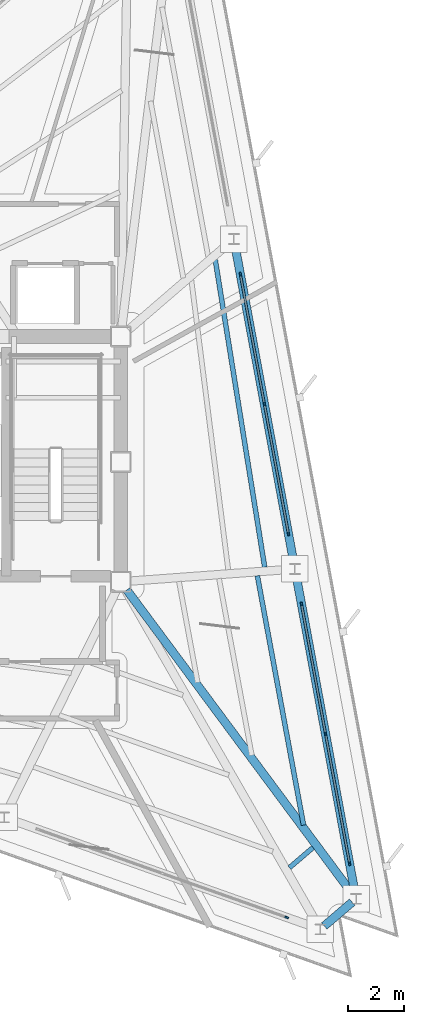
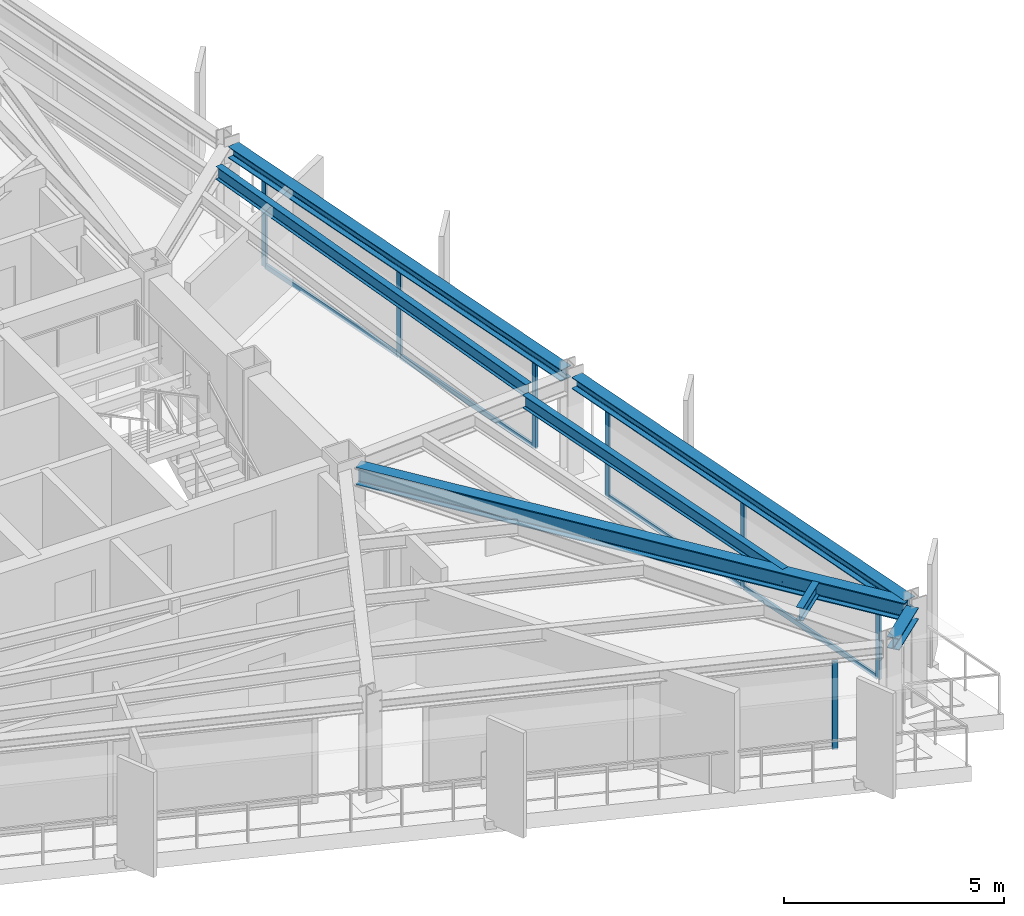
# One storey, part 6 of 14: 15 members, 7 beams, 3 elements without a shape of their own.
"""IFC4 building model written with IfcOpenShell, lengths in metres."""

from ifc_helpers import new_model, si_unit, direction, frame, origin, origin_2d, place, context, subcontext, project, spatial, rectangle, i_section, extrude, material, layer, layer_set, material_profile, profile_set, type_object, element, aggregate, save


model = new_model("IFC4")

# Units and contexts
model_context = context("Model", 3, precision=1e-05, world=origin(), true_north=direction((0.0, 1.0)))
body_context = subcontext(model_context, "Body", "Model", "MODEL_VIEW")
ifc_project = project(units=[si_unit("LENGTHUNIT", "METRE"), si_unit("AREAUNIT", "SQUARE_METRE"), si_unit("VOLUMEUNIT", "CUBIC_METRE"), si_unit("PLANEANGLEUNIT", "RADIAN"), si_unit("MASSUNIT", "GRAM", prefix="KILO")], contexts=[model_context])

# Site, building, storey
site_placement = place(None, origin())
site = spatial("IfcSite", under=ifc_project, at=site_placement, CompositionType="ELEMENT")
building_placement = place(site_placement, origin())
building = spatial("IfcBuilding", under=site, at=building_placement, Name="Rocaltana Carrier Exchange", CompositionType="ELEMENT")
storey_placement = place(building_placement, frame((0.0, 0.0, 175.360107421875)))
storey = spatial("IfcBuildingStorey", under=building, at=storey_placement, Name="L55", CompositionType="ELEMENT", Elevation=175.360107421875)

# Curtain wall, members
ifc_material_1 = material(Name="Aluminium 6063-T6", Category="aluminium")
ifc_layer = layer(ifc_material_1, 0.135009765625)
ifc_layer_set = layer_set([ifc_layer], Name="Aluminium 6063-T6")
curtain_wall_type = type_object("IfcCurtainWallType", Name="Upper-Mid Acoustic Curtain Wall CW-04", PredefinedType="NOTDEFINED", material=ifc_layer_set)
curtain_wall_1_placement = place(storey_placement, origin())
curtain_wall_1 = element("IfcCurtainWall", 1, at=curtain_wall_1_placement, inside=storey, type_object=curtain_wall_type, Name="L55 CW-04 Run CW-L55-F1S1", PredefinedType="NOTDEFINED")
ifc_material_2 = material(Name="Aluminium 6063-T6", Category="aluminium")
ifc_material_profile_1 = material_profile(ifc_material_2, rectangle(XDim=0.06494140625, YDim=0.135009765625, at=origin_2d()), Name="AL-65X135")
ifc_profile_set_1 = profile_set([ifc_material_profile_1], Name="Aluminium 6063-T6")
member_type_1 = type_object("IfcMemberType", Name="CW-04 Mullion AL-65X135", PredefinedType="MULLION", material=ifc_profile_set_1)
member_1_placement = place(storey_placement, frame((14.2587890625, -14.410400390625, 0.0), z_axis=(0.0, 0.0, 1.0), x_axis=(-0.98325514449, -0.182234247149, 0.0)))
member_1 = element("IfcMember", 2, at=member_1_placement, type_object=member_type_1, Name="CW-04 mullion 1", PredefinedType="MULLION", context=body_context, shape_type="SweptSolid", body=[
    extrude(rectangle(XDim=0.06494140625, YDim=0.135009765625, at=origin_2d()), origin(), (0.0, 0.0, 1.0), 2.447998046875),
])
member_2_placement = place(storey_placement, frame((13.39599609375, -9.75537109375, 0.0), z_axis=(0.0, 0.0, 1.0), x_axis=(-0.98325514449, -0.182234247149, 0.0)))
member_2 = element("IfcMember", 3, at=member_2_placement, type_object=member_type_1, Name="CW-04 mullion 2", PredefinedType="MULLION", context=body_context, shape_type="SweptSolid", body=[
    extrude(rectangle(XDim=0.06494140625, YDim=0.135009765625, at=origin_2d()), origin(), (0.0, 0.0, 1.0), 2.447998046875),
])
member_3_placement = place(storey_placement, frame((12.533203125, -5.1005859375, 0.0), z_axis=(0.0, 0.0, 1.0), x_axis=(-0.98325514449, -0.182234247149, 0.0)))
member_3 = element("IfcMember", 4, at=member_3_placement, type_object=member_type_1, Name="CW-04 mullion 3", PredefinedType="MULLION", context=body_context, shape_type="SweptSolid", body=[
    extrude(rectangle(XDim=0.06494140625, YDim=0.135009765625, at=origin_2d()), origin(), (0.0, 0.0, 1.0), 2.447998046875),
])

curtain_wall_2_placement = place(storey_placement, origin())
curtain_wall_2 = element("IfcCurtainWall", 5, at=curtain_wall_2_placement, inside=storey, type_object=curtain_wall_type, Name="L55 CW-04 Run CW-L55-F1S2", PredefinedType="NOTDEFINED")
member_4_placement = place(storey_placement, frame((12.06591796875, -2.578369140625, 0.0), z_axis=(0.0, 0.0, 1.0), x_axis=(-0.983254796134, -0.182236126712, 0.0)))
member_4 = element("IfcMember", 6, at=member_4_placement, type_object=member_type_1, Name="CW-04 mullion 1", PredefinedType="MULLION", context=body_context, shape_type="SweptSolid", body=[
    extrude(rectangle(XDim=0.06494140625, YDim=0.135009765625, at=origin_2d()), origin(), (0.0, 0.0, 1.0), 2.447998046875),
])
member_5_placement = place(storey_placement, frame((11.203125, 2.076416015625, 0.0), z_axis=(0.0, 0.0, 1.0), x_axis=(-0.983254796134, -0.182236126712, 0.0)))
member_5 = element("IfcMember", 7, at=member_5_placement, type_object=member_type_1, Name="CW-04 mullion 2", PredefinedType="MULLION", context=body_context, shape_type="SweptSolid", body=[
    extrude(rectangle(XDim=0.06494140625, YDim=0.135009765625, at=origin_2d()), origin(), (0.0, 0.0, 1.0), 2.447998046875),
])
member_6_placement = place(storey_placement, frame((10.34033203125, 6.731201171875, 0.0), z_axis=(0.0, 0.0, 1.0), x_axis=(-0.983254796134, -0.182236126712, 0.0)))
member_6 = element("IfcMember", 8, at=member_6_placement, type_object=member_type_1, Name="CW-04 mullion 3", PredefinedType="MULLION", context=body_context, shape_type="SweptSolid", body=[
    extrude(rectangle(XDim=0.06494140625, YDim=0.135009765625, at=origin_2d()), origin(), (0.0, 0.0, 1.0), 2.447998046875),
])

# Curtain wall, member
curtain_wall_3_placement = place(storey_placement, origin())
curtain_wall_3 = element("IfcCurtainWall", 9, at=curtain_wall_3_placement, inside=storey, type_object=curtain_wall_type, Name="L55 CW-04 Run CW-L55-F3S3", PredefinedType="NOTDEFINED")
member_7_placement = place(storey_placement, frame((12.00244140625, -16.33740234375, 0.0), z_axis=(0.0, 0.0, 1.0), x_axis=(0.333798791936, 0.942644347833, 0.0)))
member_7 = element("IfcMember", 10, at=member_7_placement, type_object=member_type_1, Name="CW-04 mullion 3", PredefinedType="MULLION", context=body_context, shape_type="SweptSolid", body=[
    extrude(rectangle(XDim=0.06494140625, YDim=0.135009765625, at=origin_2d()), origin(), (0.0, 0.0, 1.0), 2.447998046875),
])
aggregate(curtain_wall_3, [member_7])

# Member
ifc_material_3 = material(Name="Aluminium 6063-T6", Category="aluminium")
ifc_material_profile_2 = material_profile(ifc_material_3, rectangle(XDim=0.06494140625, YDim=0.135009765625, at=origin_2d()), Name="AL-65X135")
ifc_profile_set_2 = profile_set([ifc_material_profile_2], Name="Aluminium 6063-T6")
member_type_2 = type_object("IfcMemberType", Name="CW-04 Transom AL-65X135", PredefinedType="USERDEFINED", material=ifc_profile_set_2)
member_8_placement = place(storey_placement, frame((14.2529296875, -14.37841796875, 0.032470703125), z_axis=(-0.18227087305, 0.983248355624, 0.0), x_axis=(-0.983248355624, -0.18227087305, 0.0)))
member_8 = element("IfcMember", 11, at=member_8_placement, type_object=member_type_2, Name="CW-04 transom 1.1", ObjectType="TRANSOM", PredefinedType="USERDEFINED", context=body_context, shape_type="SweptSolid", body=[
    extrude(rectangle(XDim=0.06494140625, YDim=0.135009765625, at=origin_2d()), origin(), (0.0, 0.0, 1.0), 4.669189453125),
])

member_9_placement = place(storey_placement, frame((14.2529296875, -14.37841796875, 2.415283203125), z_axis=(-0.18227087305, 0.983248355624, 0.0), x_axis=(-0.983248355624, -0.18227087305, 0.0)))
member_9 = element("IfcMember", 12, at=member_9_placement, type_object=member_type_2, Name="CW-04 transom 1.2", ObjectType="TRANSOM", PredefinedType="USERDEFINED", context=body_context, shape_type="SweptSolid", body=[
    extrude(rectangle(XDim=0.06494140625, YDim=0.135009765625, at=origin_2d()), origin(), (0.0, 0.0, 1.0), 4.669189453125),
])

member_10_placement = place(storey_placement, frame((13.39013671875, -9.723388671875, 0.032470703125), z_axis=(-0.182229691605, 0.983255988793, 0.0), x_axis=(-0.983255988793, -0.182229691605, 0.0)))
member_10 = element("IfcMember", 13, at=member_10_placement, type_object=member_type_2, Name="CW-04 transom 2.1", ObjectType="TRANSOM", PredefinedType="USERDEFINED", context=body_context, shape_type="SweptSolid", body=[
    extrude(rectangle(XDim=0.06494140625, YDim=0.135009765625, at=origin_2d()), origin(), (0.0, 0.0, 1.0), 4.6689453125),
])

member_11_placement = place(storey_placement, frame((13.39013671875, -9.723388671875, 2.415283203125), z_axis=(-0.182229691605, 0.983255988793, 0.0), x_axis=(-0.983255988793, -0.182229691605, 0.0)))
member_11 = element("IfcMember", 14, at=member_11_placement, type_object=member_type_2, Name="CW-04 transom 2.2", ObjectType="TRANSOM", PredefinedType="USERDEFINED", context=body_context, shape_type="SweptSolid", body=[
    extrude(rectangle(XDim=0.06494140625, YDim=0.135009765625, at=origin_2d()), origin(), (0.0, 0.0, 1.0), 4.6689453125),
])

aggregate(curtain_wall_1, [member_1, member_2, member_3, member_8, member_9, member_10, member_11])

member_12_placement = place(storey_placement, frame((12.06005859375, -2.54638671875, 0.032470703125), z_axis=(-0.182280244188, 0.983246618392, 0.0), x_axis=(-0.983246618392, -0.182280244188, 0.0)))
member_12 = element("IfcMember", 15, at=member_12_placement, type_object=member_type_2, Name="CW-04 transom 1.1", ObjectType="TRANSOM", PredefinedType="USERDEFINED", context=body_context, shape_type="SweptSolid", body=[
    extrude(rectangle(XDim=0.06494140625, YDim=0.135009765625, at=origin_2d()), origin(), (0.0, 0.0, 1.0), 4.6689453125),
])

member_13_placement = place(storey_placement, frame((12.06005859375, -2.54638671875, 2.415283203125), z_axis=(-0.182280244188, 0.983246618392, 0.0), x_axis=(-0.983246618392, -0.182280244188, 0.0)))
member_13 = element("IfcMember", 16, at=member_13_placement, type_object=member_type_2, Name="CW-04 transom 1.2", ObjectType="TRANSOM", PredefinedType="USERDEFINED", context=body_context, shape_type="SweptSolid", body=[
    extrude(rectangle(XDim=0.06494140625, YDim=0.135009765625, at=origin_2d()), origin(), (0.0, 0.0, 1.0), 4.6689453125),
])

member_14_placement = place(storey_placement, frame((11.197265625, 2.1083984375, 0.032470703125), z_axis=(-0.182229691605, 0.983255988793, 0.0), x_axis=(-0.983255988793, -0.182229691605, 0.0)))
member_14 = element("IfcMember", 17, at=member_14_placement, type_object=member_type_2, Name="CW-04 transom 2.1", ObjectType="TRANSOM", PredefinedType="USERDEFINED", context=body_context, shape_type="SweptSolid", body=[
    extrude(rectangle(XDim=0.06494140625, YDim=0.135009765625, at=origin_2d()), origin(), (0.0, 0.0, 1.0), 4.6689453125),
])

member_15_placement = place(storey_placement, frame((11.197265625, 2.1083984375, 2.415283203125), z_axis=(-0.182229691605, 0.983255988793, 0.0), x_axis=(-0.983255988793, -0.182229691605, 0.0)))
member_15 = element("IfcMember", 18, at=member_15_placement, type_object=member_type_2, Name="CW-04 transom 2.2", ObjectType="TRANSOM", PredefinedType="USERDEFINED", context=body_context, shape_type="SweptSolid", body=[
    extrude(rectangle(XDim=0.06494140625, YDim=0.135009765625, at=origin_2d()), origin(), (0.0, 0.0, 1.0), 4.6689453125),
])

aggregate(curtain_wall_2, [member_4, member_5, member_6, member_12, member_13, member_14, member_15])

# Beams
ifc_material_4 = material(Name="Steel S355", Category="steel")
ifc_material_profile_3 = material_profile(ifc_material_4, i_section(OverallWidth=0.172119140625, OverallDepth=0.35791015625, WebThickness=0.0078125, FlangeThickness=0.01318359375, FilletRadius=0.011962890625, at=origin_2d()), Name="W14X38")
ifc_profile_set_3 = profile_set([ifc_material_profile_3], Name="Steel S355")
beam_type_1 = type_object("IfcBeamType", Name="Floor Joist W14X38", PredefinedType="JOIST", material=ifc_profile_set_3)
beam_1_placement = place(storey_placement, frame((12.60888671875, -13.028076171875, 2.618896484375), z_axis=(-0.182235319361, 0.983254945768, 0.0), x_axis=(-0.983254945768, -0.182235319361, 0.0)))
element("IfcBeam", 19, at=beam_1_placement, inside=storey, type_object=beam_type_1, Name="FJ-L55-01-3", PredefinedType="JOIST", context=body_context, shape_type="SweptSolid", body=[
    extrude(i_section(OverallWidth=0.172119140625, OverallDepth=0.35791015625, WebThickness=0.0078125, FlangeThickness=0.01318359375, FilletRadius=0.011962890625, at=origin_2d()), origin(), (0.0, 0.0, 1.0), 9.097900390625),
])
beam_2_placement = place(storey_placement, frame((11.21435546875, -3.775634765625, 2.618896484375), z_axis=(-0.158801706123, 0.987310497327, 0.0), x_axis=(-0.987310497327, -0.158801706123, 0.0)))
element("IfcBeam", 20, at=beam_2_placement, inside=storey, type_object=beam_type_1, Name="FJ-L55-02-3", PredefinedType="JOIST", context=body_context, shape_type="SweptSolid", body=[
    extrude(i_section(OverallWidth=0.172119140625, OverallDepth=0.35791015625, WebThickness=0.0078125, FlangeThickness=0.01318359375, FilletRadius=0.011962890625, at=origin_2d()), origin(), (0.0, 0.0, 1.0), 11.173828125),
])
beam_3_placement = place(storey_placement, frame((12.103515625, -14.552978515625, 2.618896484375), z_axis=(0.760342005867, 0.649522928089, 0.0), x_axis=(-0.649522928089, 0.760342005867, 0.0)))
element("IfcBeam", 21, at=beam_3_placement, inside=storey, type_object=beam_type_1, Name="FJ-L55-12-3", PredefinedType="JOIST", context=body_context, shape_type="SweptSolid", body=[
    extrude(i_section(OverallWidth=0.172119140625, OverallDepth=0.35791015625, WebThickness=0.0078125, FlangeThickness=0.01318359375, FilletRadius=0.011962890625, at=origin_2d()), origin(), (0.0, 0.0, 1.0), 1.1103515625),
])
ifc_material_5 = material(Name="Steel S355", Category="steel")
ifc_material_profile_4 = material_profile(ifc_material_5, i_section(OverallWidth=0.300048828125, OverallDepth=0.320068359375, WebThickness=0.011474609375, FlangeThickness=0.0205078125, FilletRadius=0.027099609375, at=origin_2d()), Name="HEB320")
ifc_profile_set_4 = profile_set([ifc_material_profile_4], Name="Steel S355")
beam_type_2 = type_object("IfcBeamType", Name="Spandrel Edge Beam HEB320", PredefinedType="SPANDREL", material=ifc_profile_set_4)
beam_4_placement = place(storey_placement, frame((14.458740234375, -15.489013671875, 2.637939453125), z_axis=(-0.182231688163, 0.983255618763, 0.0), x_axis=(-0.983255618763, -0.182231688163, 0.0)))
element("IfcBeam", 22, at=beam_4_placement, inside=storey, type_object=beam_type_2, Name="SP-L55-01", PredefinedType="SPANDREL", context=body_context, shape_type="SweptSolid", body=[
    extrude(i_section(OverallWidth=0.300048828125, OverallDepth=0.320068359375, WebThickness=0.011474609375, FlangeThickness=0.0205078125, FilletRadius=0.027099609375, at=origin_2d()), origin(), (0.0, 0.0, 1.0), 11.662353515625),
])
beam_5_placement = place(storey_placement, frame((12.265869140625, -3.656982421875, 2.637939453125), z_axis=(-0.182255678448, 0.983251172221, 0.0), x_axis=(-0.983251172221, -0.182255678448, 0.0)))
element("IfcBeam", 23, at=beam_5_placement, inside=storey, type_object=beam_type_2, Name="SP-L55-02", PredefinedType="SPANDREL", context=body_context, shape_type="SweptSolid", body=[
    extrude(i_section(OverallWidth=0.300048828125, OverallDepth=0.320068359375, WebThickness=0.011474609375, FlangeThickness=0.0205078125, FilletRadius=0.027099609375, at=origin_2d()), origin(), (0.0, 0.0, 1.0), 11.662109375),
])
beam_6_placement = place(storey_placement, frame((13.352294921875, -16.64501953125, 2.637939453125), z_axis=(0.760488392831, 0.649351526039, 0.0), x_axis=(-0.649351526039, 0.760488392831, 0.0)))
element("IfcBeam", 24, at=beam_6_placement, inside=storey, type_object=beam_type_2, Name="SP-L55-12", PredefinedType="SPANDREL", context=body_context, shape_type="SweptSolid", body=[
    extrude(i_section(OverallWidth=0.300048828125, OverallDepth=0.320068359375, WebThickness=0.011474609375, FlangeThickness=0.0205078125, FilletRadius=0.027099609375, at=origin_2d()), origin(), (0.0, 0.0, 1.0), 1.313720703125),
])
ifc_material_6 = material(Name="Steel S355", Category="steel")
ifc_material_profile_5 = material_profile(ifc_material_6, i_section(OverallWidth=0.300048828125, OverallDepth=0.5, WebThickness=0.014404296875, FlangeThickness=0.028076171875, FilletRadius=0.027099609375, at=origin_2d()), Name="HEB500")
ifc_profile_set_5 = profile_set([ifc_material_profile_5], Name="Steel S355")
beam_type_3 = type_object("IfcBeamType", Name="Upper Radial Girder HEB500", PredefinedType="BEAM", material=ifc_profile_set_5)
beam_7_placement = place(storey_placement, frame((6.268798828125, -4.5947265625, 2.5478515625), z_axis=(0.596101049544, -0.802909421251, 0.0), x_axis=(0.802909421251, 0.596101049544, 0.0)))
element("IfcBeam", 25, at=beam_7_placement, inside=storey, type_object=beam_type_3, Name="RG-L55-01", PredefinedType="BEAM", context=body_context, shape_type="SweptSolid", body=[
    extrude(i_section(OverallWidth=0.300048828125, OverallDepth=0.5, WebThickness=0.014404296875, FlangeThickness=0.028076171875, FilletRadius=0.027099609375, at=origin_2d()), origin(), (0.0, 0.0, 1.0), 13.610107421875),
])

save(model, "model.ifc")
